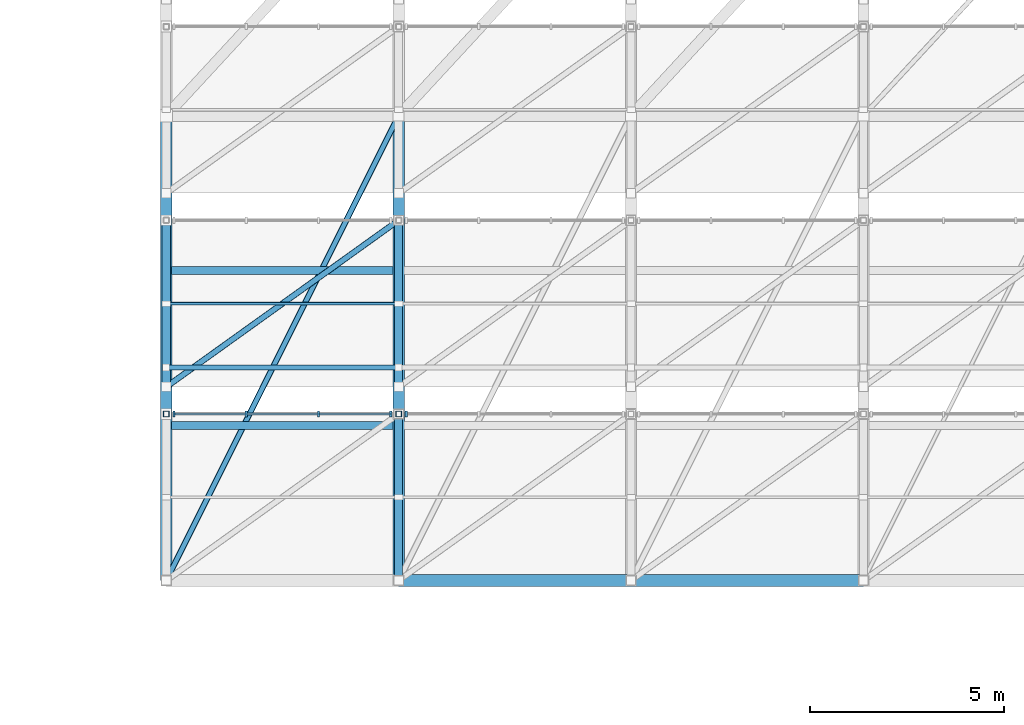
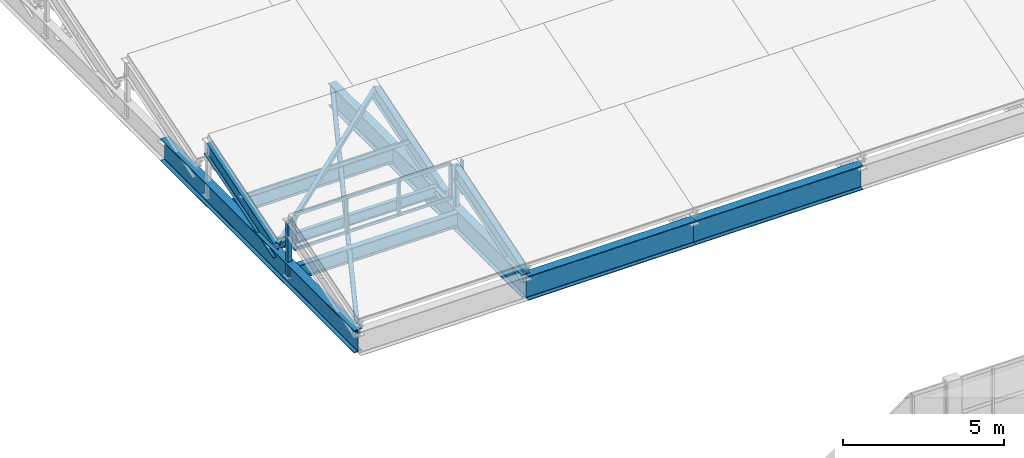
# One storey, part 11 of 48: 13 members, 9 beams, 2 elements without a shape of their own.
"""IFC4 building model written with IfcOpenShell, lengths in metres."""

from ifc_helpers import new_model, si_unit, direction, frame, origin, origin_2d, place, context, subcontext, project, spatial, rectangle, hollow_rectangle, i_section, extrude, material, layer, layer_set, material_profile, profile_set, type_object, element, aggregate, save


model = new_model("IFC4")

# Units and contexts
model_context = context("Model", 3, precision=1e-05, world=origin(), true_north=direction((0.0, 1.0)))
body_context = subcontext(model_context, "Body", "Model", "MODEL_VIEW")
ifc_project = project(units=[si_unit("LENGTHUNIT", "METRE"), si_unit("AREAUNIT", "SQUARE_METRE"), si_unit("VOLUMEUNIT", "CUBIC_METRE"), si_unit("PLANEANGLEUNIT", "RADIAN"), si_unit("MASSUNIT", "GRAM", prefix="KILO")], contexts=[model_context])

# Site, building, storey
site_placement = place(None, origin())
site = spatial("IfcSite", under=ifc_project, at=site_placement, CompositionType="ELEMENT")
building_placement = place(site_placement, origin())
building = spatial("IfcBuilding", under=site, at=building_placement, Name="Trellovar Central Fire Station", CompositionType="ELEMENT")
storey_placement = place(building_placement, frame((0.0, 0.0, 9.300048828125)))
storey = spatial("IfcBuildingStorey", under=building, at=storey_placement, Name="L03", CompositionType="ELEMENT", Elevation=9.300048828125)

# Beams
ifc_material_1 = material(Name="Steel ASTM A992 Grade 50", Category="steel")
ifc_material_profile_1 = material_profile(ifc_material_1, i_section(OverallWidth=0.3046875, OverallDepth=0.911865234375, WebThickness=0.015869140625, FlangeThickness=0.02392578125, FilletRadius=0.024169921875, at=origin_2d()), Name="W36X150")
ifc_profile_set_1 = profile_set([ifc_material_profile_1], Name="Steel ASTM A992 Grade 50")
beam_type_1 = type_object("IfcBeamType", Name="BM-SW1", PredefinedType="BEAM", material=ifc_profile_set_1)
for number, where, z_axis, x_axis, name in (
    (1, (111.5, 48.0, -0.635986328125), (1.0, 0.0, 0.0), (0.0, 1.0, 0.0), "L03 beam SB-1"),
    (2, (117.5, 48.0, -0.635986328125), (1.0, 0.0, 0.0), (0.0, 1.0, 0.0), "L03 beam SB-1"),
):
    element("IfcBeam", number, at=place(storey_placement, frame(where, z_axis=z_axis, x_axis=x_axis)), inside=storey, type_object=beam_type_1, Name=name, PredefinedType="BEAM", context=body_context, shape_type="SweptSolid", body=[
        extrude(i_section(OverallWidth=0.3046875, OverallDepth=0.911865234375, WebThickness=0.015869140625, FlangeThickness=0.02392578125, FilletRadius=0.024169921875, at=origin_2d()), origin(), (0.0, 0.0, 1.0), 6.0),
    ])
ifc_material_2 = material(Name="Steel ASTM A992 Grade 50", Category="steel")
ifc_material_profile_2 = material_profile(ifc_material_2, i_section(OverallWidth=0.2919921875, OverallDepth=0.8408203125, WebThickness=0.0146484375, FlangeThickness=0.021728515625, FilletRadius=0.020263671875, at=origin_2d()), Name="W33X130")
ifc_profile_set_2 = profile_set([ifc_material_profile_2], Name="Steel ASTM A992 Grade 50")
beam_type_2 = type_object("IfcBeamType", Name="BM-SW2", PredefinedType="BEAM", material=ifc_profile_set_2)
for number, where, z_axis, x_axis, name in (
    (3, (105.5, 48.0, -0.600341796875), (0.0, 1.0, 0.0), (-1.0, 0.0, 0.0), "L03 beam SB-2"),
    (4, (111.5, 48.0, -0.600341796875), (0.0, 1.0, 0.0), (-1.0, 0.0, 0.0), "L03 beam SB-2"),
):
    element("IfcBeam", number, at=place(storey_placement, frame(where, z_axis=z_axis, x_axis=x_axis)), inside=storey, type_object=beam_type_2, Name=name, PredefinedType="BEAM", context=body_context, shape_type="SweptSolid", body=[
        extrude(i_section(OverallWidth=0.2919921875, OverallDepth=0.8408203125, WebThickness=0.0146484375, FlangeThickness=0.021728515625, FilletRadius=0.020263671875, at=origin_2d()), origin(), (0.0, 0.0, 1.0), 12.0),
    ])
ifc_material_3 = material(Name="Steel ASTM A992 Grade 50", Category="steel")
ifc_material_profile_3 = material_profile(ifc_material_3, i_section(OverallWidth=0.209228515625, OverallDepth=0.533447265625, WebThickness=0.01025390625, FlangeThickness=0.015625, FilletRadius=0.013916015625, at=origin_2d()), Name="W21X62")
ifc_profile_set_3 = profile_set([ifc_material_profile_3], Name="Steel ASTM A992 Grade 50")
beam_type_3 = type_object("IfcBeamType", Name="BM-SW7", PredefinedType="BEAM", material=ifc_profile_set_3)
for number, where, z_axis, x_axis, name in (
    (5, (105.64111328125, 52.0, -0.44677734375), (1.0, 0.0, 0.0), (0.0, 1.0, 0.0), "L03 beam SB-7"),
    (6, (105.64111328125, 56.0, -0.44677734375), (1.0, 0.0, 0.0), (0.0, 1.0, 0.0), "L03 beam SB-7"),
):
    element("IfcBeam", number, at=place(storey_placement, frame(where, z_axis=z_axis, x_axis=x_axis)), inside=storey, type_object=beam_type_3, Name=name, PredefinedType="BEAM", context=body_context, shape_type="SweptSolid", body=[
        extrude(i_section(OverallWidth=0.209228515625, OverallDepth=0.533447265625, WebThickness=0.01025390625, FlangeThickness=0.015625, FilletRadius=0.013916015625, at=origin_2d()), origin(), (0.0, 0.0, 1.0), 5.7177734375),
    ])
for number, where, z_axis, x_axis, name in (
    (7, (111.5, 48.0, -0.266845703125), (0.0, 0.954079117135, 0.299554733308), (-1.0, 0.0, 0.0), "Sawtooth steel rafter"),
    (8, (105.5, 53.0, -0.266845703125), (0.0, 0.954079117135, 0.299554733308), (-1.0, 0.0, 0.0), "Sawtooth steel rafter"),
    (9, (111.5, 53.0, -0.266845703125), (0.0, 0.954079117135, 0.299554733308), (-1.0, 0.0, 0.0), "Sawtooth steel rafter"),
):
    element("IfcBeam", number, at=place(storey_placement, frame(where, z_axis=z_axis, x_axis=x_axis)), inside=storey, type_object=beam_type_3, Name=name, PredefinedType="BEAM", context=body_context, shape_type="SweptSolid", body=[
        extrude(i_section(OverallWidth=0.209228515625, OverallDepth=0.533447265625, WebThickness=0.01025390625, FlangeThickness=0.015625, FilletRadius=0.013916015625, at=origin_2d()), origin(), (0.0, 0.0, 1.0), 4.507080078125),
    ])

# Curtain wall, members
ifc_material_4 = material(Name="Thermally broken bronze anodized aluminum", Category="aluminium")
ifc_layer = layer(ifc_material_4, 0.159912109375)
ifc_layer_set = layer_set([ifc_layer], Name="Thermally broken bronze anodized aluminum")
curtain_wall_type = type_object("IfcCurtainWallType", Name="CW-06", PredefinedType="NOTDEFINED", material=ifc_layer_set)
curtain_wall_1_placement = place(storey_placement, origin())
curtain_wall_1 = element("IfcCurtainWall", 10, at=curtain_wall_1_placement, inside=storey, type_object=curtain_wall_type, Name="V6 sawtooth north-light monitor 1-1", PredefinedType="NOTDEFINED")
ifc_material_5 = material(Name="Thermally broken bronze anodized aluminum", Category="aluminium")
ifc_material_profile_4 = material_profile(ifc_material_5, rectangle(XDim=0.06005859375, YDim=0.159912109375, at=origin_2d()), Name="ALU60X160")
ifc_profile_set_4 = profile_set([ifc_material_profile_4], Name="Thermally broken bronze anodized aluminum")
member_type_1 = type_object("IfcMemberType", Name="CWM-3", PredefinedType="MULLION", material=ifc_profile_set_4)
member_1_placement = place(storey_placement, frame((111.300048828125, 52.300048828125, 0.179931640625), z_axis=(0.0, 0.0, 1.0), x_axis=(1.0, 0.0, 0.0)))
member_1 = element("IfcMember", 11, at=member_1_placement, type_object=member_type_1, Name="CW3-L03-0107 mullion 1", PredefinedType="MULLION", context=body_context, shape_type="SweptSolid", body=[
    extrude(rectangle(XDim=0.06005859375, YDim=0.159912109375, at=origin_2d()), origin(), (0.0, 0.0, 1.0), 1.300048828125),
])
member_2_placement = place(storey_placement, frame((109.433349609375, 52.300048828125, 0.179931640625), z_axis=(0.0, 0.0, 1.0), x_axis=(1.0, 0.0, 0.0)))
member_2 = element("IfcMember", 12, at=member_2_placement, type_object=member_type_1, Name="CW3-L03-0107 mullion 2", PredefinedType="MULLION", context=body_context, shape_type="SweptSolid", body=[
    extrude(rectangle(XDim=0.06005859375, YDim=0.159912109375, at=origin_2d()), origin(), (0.0, 0.0, 1.0), 1.300048828125),
])
member_3_placement = place(storey_placement, frame((107.566650390625, 52.300048828125, 0.179931640625), z_axis=(0.0, 0.0, 1.0), x_axis=(1.0, 0.0, 0.0)))
member_3 = element("IfcMember", 13, at=member_3_placement, type_object=member_type_1, Name="CW3-L03-0107 mullion 3", PredefinedType="MULLION", context=body_context, shape_type="SweptSolid", body=[
    extrude(rectangle(XDim=0.06005859375, YDim=0.159912109375, at=origin_2d()), origin(), (0.0, 0.0, 1.0), 1.300048828125),
])
member_4_placement = place(storey_placement, frame((105.699951171875, 52.300048828125, 0.179931640625), z_axis=(0.0, 0.0, 1.0), x_axis=(1.0, 0.0, 0.0)))
member_4 = element("IfcMember", 14, at=member_4_placement, type_object=member_type_1, Name="CW3-L03-0107 mullion 4", PredefinedType="MULLION", context=body_context, shape_type="SweptSolid", body=[
    extrude(rectangle(XDim=0.06005859375, YDim=0.159912109375, at=origin_2d()), origin(), (0.0, 0.0, 1.0), 1.300048828125),
])

# Curtain wall, member
curtain_wall_2_placement = place(storey_placement, origin())
curtain_wall_2 = element("IfcCurtainWall", 15, at=curtain_wall_2_placement, inside=storey, type_object=curtain_wall_type, Name="V6 sawtooth north-light monitor 1-2", PredefinedType="NOTDEFINED")
member_5_placement = place(storey_placement, frame((111.699951171875, 52.300048828125, 0.179931640625), z_axis=(0.0, 0.0, 1.0), x_axis=(1.0, 0.0, 0.0)))
member_5 = element("IfcMember", 16, at=member_5_placement, type_object=member_type_1, Name="CW3-L03-0115 mullion 4", PredefinedType="MULLION", context=body_context, shape_type="SweptSolid", body=[
    extrude(rectangle(XDim=0.06005859375, YDim=0.159912109375, at=origin_2d()), origin(), (0.0, 0.0, 1.0), 1.300048828125),
])
aggregate(curtain_wall_2, [member_5])

# Member
ifc_material_6 = material(Name="Thermally broken bronze anodized aluminum", Category="aluminium")
ifc_material_profile_5 = material_profile(ifc_material_6, rectangle(XDim=0.054931640625, YDim=0.110107421875, at=origin_2d()), Name="ALU55X110")
ifc_profile_set_5 = profile_set([ifc_material_profile_5], Name="Thermally broken bronze anodized aluminum")
member_type_2 = type_object("IfcMemberType", Name="CWT-3", PredefinedType="USERDEFINED", material=ifc_profile_set_5)
member_6_placement = place(storey_placement, frame((111.300048828125, 52.300048828125, 0.179931640625), z_axis=(-1.0, 0.0, 0.0), x_axis=(0.0, -1.0, 0.0)))
member_6 = element("IfcMember", 17, at=member_6_placement, type_object=member_type_2, Name="CW3-L03-0107 transom 1", ObjectType="TRANSOM", PredefinedType="USERDEFINED", context=body_context, shape_type="SweptSolid", body=[
    extrude(rectangle(XDim=0.054931640625, YDim=0.110107421875, at=origin_2d()), origin(), (0.0, 0.0, 1.0), 5.60009765625),
])

member_7_placement = place(storey_placement, frame((111.300048828125, 52.300048828125, 1.47998046875), z_axis=(-1.0, 0.0, 0.0), x_axis=(0.0, -1.0, 0.0)))
member_7 = element("IfcMember", 18, at=member_7_placement, type_object=member_type_2, Name="CW3-L03-0107 transom 2", ObjectType="TRANSOM", PredefinedType="USERDEFINED", context=body_context, shape_type="SweptSolid", body=[
    extrude(rectangle(XDim=0.054931640625, YDim=0.110107421875, at=origin_2d()), origin(), (0.0, 0.0, 1.0), 5.60009765625),
])

aggregate(curtain_wall_1, [member_1, member_2, member_3, member_4, member_6, member_7])

# Members
ifc_material_7 = material(Name="Steel ASTM A500 Grade C", Category="steel")
ifc_material_profile_6 = material_profile(ifc_material_7, hollow_rectangle(XDim=0.15234375, YDim=0.15234375, WallThickness=0.005859375, InnerFilletRadius=0.005859375, OuterFilletRadius=0.01171875, at=origin_2d()), Name="HSS6X6X1/4")
ifc_profile_set_6 = profile_set([ifc_material_profile_6], Name="Steel ASTM A500 Grade C")
member_type_3 = type_object("IfcMemberType", Name="MEM-BR1", PredefinedType="BRACE", material=ifc_profile_set_6)
member_8_placement = place(storey_placement, frame((105.5, 53.0, -0.02001953125), z_axis=(0.801405151762, 0.574346880614, 0.166959406617), x_axis=(-0.582523311563, 0.812813995626, 0.0)))
element("IfcMember", 19, at=member_8_placement, inside=storey, type_object=member_type_3, Name="Sawtooth roof plane diagonal brace", PredefinedType="BRACE", context=body_context, shape_type="SweptSolid", body=[
    extrude(hollow_rectangle(XDim=0.15234375, YDim=0.15234375, WallThickness=0.005859375, InnerFilletRadius=0.005859375, OuterFilletRadius=0.01171875, at=origin_2d()), origin(), (0.0, 0.0, 1.0), 7.48681640625),
])
ifc_material_8 = material(Name="Steel ASTM A500 Grade C", Category="steel")
ifc_material_profile_7 = material_profile(ifc_material_8, hollow_rectangle(XDim=0.076171875, YDim=0.15234375, WallThickness=0.005859375, InnerFilletRadius=0.005859375, OuterFilletRadius=0.01171875, at=origin_2d()), Name="HSS6X3X1/4")
ifc_profile_set_7 = profile_set([ifc_material_profile_7], Name="Steel ASTM A500 Grade C")
member_type_4 = type_object("IfcMemberType", Name="MEM-PU2", PredefinedType="PURLIN", material=ifc_profile_set_7)
member_9_placement = place(storey_placement, frame((105.5, 55.14990234375, 0.530029296875), z_axis=(1.0, 0.0, 0.0), x_axis=(0.0, 1.0, 0.0)))
element("IfcMember", 20, at=member_9_placement, inside=storey, type_object=member_type_4, Name="Sawtooth steel purlin", PredefinedType="PURLIN", context=body_context, shape_type="SweptSolid", body=[
    extrude(hollow_rectangle(XDim=0.076171875, YDim=0.15234375, WallThickness=0.005859375, InnerFilletRadius=0.005859375, OuterFilletRadius=0.01171875, at=origin_2d()), origin(), (0.0, 0.0, 1.0), 6.0),
])
ifc_material_9 = material(Name="Steel ASTM A992 Grade 50", Category="steel")
ifc_material_profile_8 = material_profile(ifc_material_9, i_section(OverallWidth=0.140380859375, OverallDepth=0.4033203125, WebThickness=0.007080078125, FlangeThickness=0.01123046875, FilletRadius=0.011474609375, at=origin_2d()), Name="W16X31")
ifc_profile_set_8 = profile_set([ifc_material_profile_8], Name="Steel ASTM A992 Grade 50")
member_type_5 = type_object("IfcMemberType", Name="MEM-PU3", PredefinedType="PURLIN", material=ifc_profile_set_8)
member_10_placement = place(storey_placement, frame((105.5, 53.5, -0.35009765625), z_axis=(1.0, 0.0, 0.0), x_axis=(0.0, 1.0, 0.0)))
element("IfcMember", 21, at=member_10_placement, inside=storey, type_object=member_type_5, Name="V6 high-bay W16X31 purlin", PredefinedType="PURLIN", context=body_context, shape_type="SweptSolid", body=[
    extrude(i_section(OverallWidth=0.140380859375, OverallDepth=0.4033203125, WebThickness=0.007080078125, FlangeThickness=0.01123046875, FilletRadius=0.011474609375, at=origin_2d()), origin(), (0.0, 0.0, 1.0), 6.0),
])
ifc_material_10 = material(Name="Steel ASTM A500 Grade C", Category="steel")
ifc_material_profile_9 = material_profile(ifc_material_10, hollow_rectangle(XDim=0.15234375, YDim=0.15234375, WallThickness=0.0087890625, InnerFilletRadius=0.0087890625, OuterFilletRadius=0.017822265625, at=origin_2d()), Name="HSS6X6X3/8")
ifc_profile_set_9 = profile_set([ifc_material_profile_9], Name="Steel ASTM A500 Grade C")
member_type_6 = type_object("IfcMemberType", Name="MEM-ST1", PredefinedType="STRUT", material=ifc_profile_set_9)
member_11_placement = place(storey_placement, frame((105.5, 48.0, -0.35009765625), z_axis=(0.4472135955, 0.894427191, 0.0), x_axis=(-0.894427191, 0.4472135955, 0.0)))
element("IfcMember", 22, at=member_11_placement, inside=storey, type_object=member_type_6, Name="V6 high-bay tie strut", PredefinedType="STRUT", context=body_context, shape_type="SweptSolid", body=[
    extrude(hollow_rectangle(XDim=0.15234375, YDim=0.15234375, WallThickness=0.0087890625, InnerFilletRadius=0.0087890625, OuterFilletRadius=0.017822265625, at=origin_2d()), origin(), (0.0, 0.0, 1.0), 13.41650390625),
])
for number, where, z_axis, x_axis, name in (
    (23, (105.5, 52.300048828125, -0.75), (0.0, 0.0, 1.0), (1.0, 0.0, 0.0), "Sawtooth monitor vertical post"),
    (24, (111.5, 52.300048828125, -0.75), (0.0, 0.0, 1.0), (1.0, 0.0, 0.0), "Sawtooth monitor vertical post"),
):
    element("IfcMember", number, at=place(storey_placement, frame(where, z_axis=z_axis, x_axis=x_axis)), inside=storey, type_object=member_type_6, Name=name, PredefinedType="STRUT", context=body_context, shape_type="SweptSolid", body=[
        extrude(hollow_rectangle(XDim=0.15234375, YDim=0.15234375, WallThickness=0.0087890625, InnerFilletRadius=0.0087890625, OuterFilletRadius=0.017822265625, at=origin_2d()), origin(), (0.0, 0.0, 1.0), 2.099853515625),
    ])

save(model, "model.ifc")
